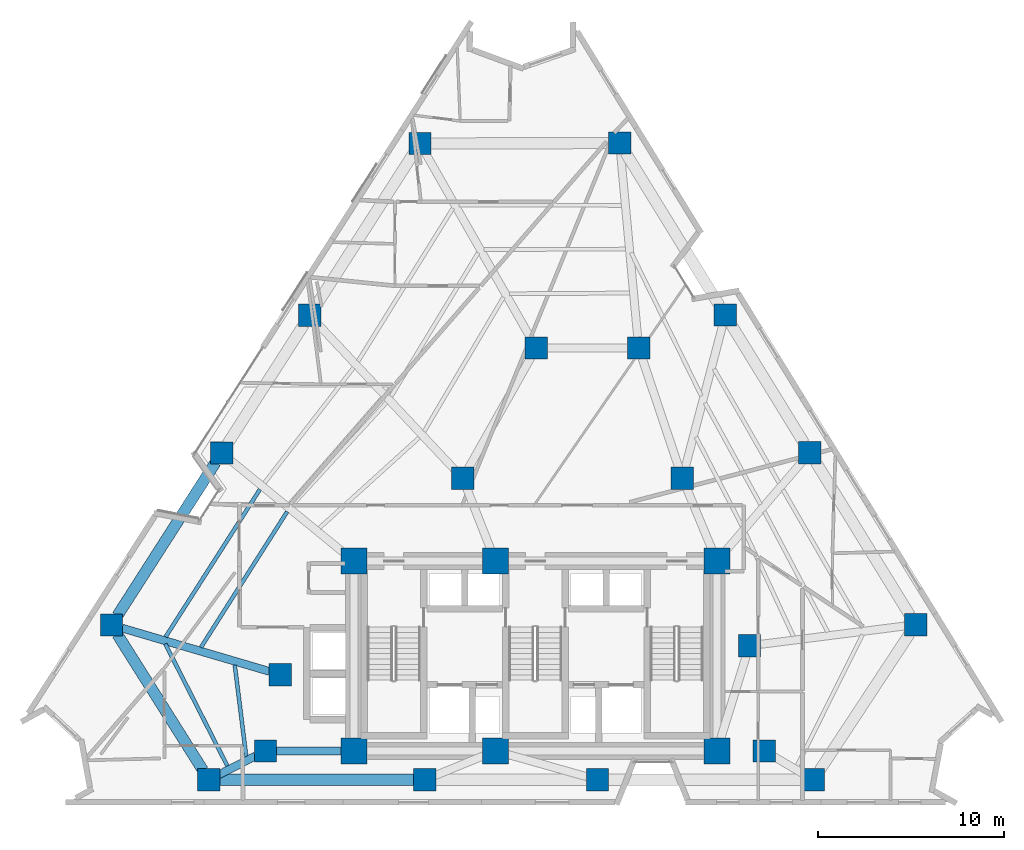
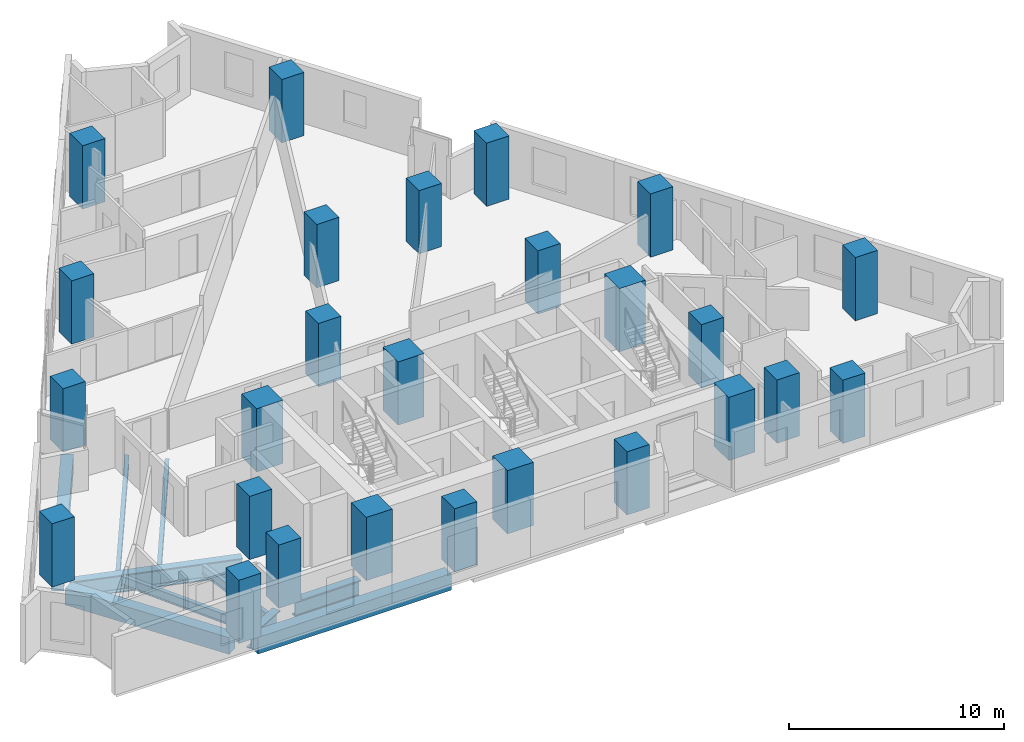
# One storey, part 1 of 13: 26 columns, 10 beams.
"""IFC4 building model written with IfcOpenShell, lengths in metres."""

from ifc_helpers import new_model, si_unit, direction, frame, origin, origin_2d, place, context, subcontext, project, spatial, rectangle, i_section, extrude, material, material_profile, profile_set, type_object, element, save


model = new_model("IFC4")

# Units and contexts
model_context = context("Model", 3, precision=1e-05, world=origin(), true_north=direction((0.0, 1.0)))
body_context = subcontext(model_context, "Body", "Model", "MODEL_VIEW")
ifc_project = project(units=[si_unit("LENGTHUNIT", "METRE"), si_unit("AREAUNIT", "SQUARE_METRE"), si_unit("VOLUMEUNIT", "CUBIC_METRE"), si_unit("PLANEANGLEUNIT", "RADIAN"), si_unit("MASSUNIT", "GRAM", prefix="KILO")], contexts=[model_context])

# Site, building, storey
site_placement = place(None, origin())
site = spatial("IfcSite", under=ifc_project, at=site_placement, CompositionType="ELEMENT")
building_placement = place(site_placement, origin())
building = spatial("IfcBuilding", under=site, at=building_placement, Name="Almagre Mirador Tower", CompositionType="ELEMENT")
storey_placement = place(building_placement, frame((0.0, 0.0, 96.60009765625)))
storey = spatial("IfcBuildingStorey", under=building, at=storey_placement, Name="L24", CompositionType="ELEMENT", Elevation=96.60009765625)

# Columns
ifc_material_1 = material(Name="Concrete C60/75", Category="concrete")
ifc_material_profile_1 = material_profile(ifc_material_1, rectangle(XDim=1.199951171875, YDim=1.199951171875, at=origin_2d()), Name="RC1200X1200")
ifc_profile_set_1 = profile_set([ifc_material_profile_1], Name="Concrete C60/75")
column_type_1 = type_object("IfcColumnType", Name="COL-RC1200", PredefinedType="COLUMN", material=ifc_profile_set_1)
for number, where, z_axis, x_axis, name in (
    (1, (22.800048828125, 4.550048828125, 0.0), (0.0, 0.0, 1.0), (1.0, 0.0, 0.0), "L24 interior transfer column MC1"),
    (2, (49.60009765625, 4.550048828125, 0.0), (0.0, 0.0, 1.0), (1.0, 0.0, 0.0), "L24 interior transfer column MC2"),
    (3, (48.800048828125, 10.199951171875, 0.0), (0.0, 0.0, 1.0), (1.0, 0.0, 0.0), "L24 interior transfer column MC3"),
    (4, (45.199951171875, 19.199951171875, 0.0), (0.0, 0.0, 1.0), (1.0, 0.0, 0.0), "L24 interior transfer column MC5"),
    (5, (42.85009765625, 26.199951171875, 0.0), (0.0, 0.0, 1.0), (1.0, 0.0, 0.0), "L24 interior transfer column MC6"),
    (6, (37.35009765625, 26.199951171875, 0.0), (0.0, 0.0, 1.0), (1.0, 0.0, 0.0), "L24 interior transfer column MC7"),
    (7, (33.39990234375, 19.199951171875, 0.0), (0.0, 0.0, 1.0), (1.0, 0.0, 0.0), "L24 interior transfer column MC8"),
    (8, (23.60009765625, 8.64990234375, 0.0), (0.0, 0.0, 1.0), (1.0, 0.0, 0.0), "L24 interior transfer column MC10"),
    (9, (19.760009765625, 3.0, 0.0), (0.0, 0.0, 1.0), (1.0, 0.0, 0.0), "L24 perimeter column PC01"),
    (10, (31.360107421875, 3.0, 0.0), (0.0, 0.0, 1.0), (1.0, 0.0, 0.0), "L24 perimeter column PC02"),
    (11, (40.639892578125, 3.0, 0.0), (0.0, 0.0, 1.0), (1.0, 0.0, 0.0), "L24 perimeter column PC03"),
    (12, (52.239990234375, 3.0, 0.0), (0.0, 0.0, 1.0), (1.0, 0.0, 0.0), "L24 perimeter column PC04"),
    (13, (57.72998046875, 11.3359375, 0.0), (0.0, 0.0, 1.0), (1.0, 0.0, 0.0), "L24 perimeter column PC05"),
    (14, (52.050048828125, 20.575927734375, 0.0), (0.0, 0.0, 1.0), (1.0, 0.0, 0.0), "L24 perimeter column PC06"),
    (15, (47.506103515625, 27.968017578125, 0.0), (0.0, 0.0, 1.0), (1.0, 0.0, 0.0), "L24 perimeter column PC07"),
    (16, (41.825927734375, 37.2080078125, 0.0), (0.0, 0.0, 1.0), (1.0, 0.0, 0.0), "L24 perimeter column PC08"),
    (17, (31.097900390625, 37.18896484375, 0.0), (0.0, 0.0, 1.0), (1.0, 0.0, 0.0), "L24 perimeter column PC09"),
    (18, (25.177978515625, 27.948974609375, 0.0), (0.0, 0.0, 1.0), (1.0, 0.0, 0.0), "L24 perimeter column PC10"),
    (19, (20.44189453125, 20.556884765625, 0.0), (0.0, 0.0, 1.0), (1.0, 0.0, 0.0), "L24 perimeter column PC11"),
    (20, (14.52197265625, 11.31689453125, 0.0), (0.0, 0.0, 1.0), (1.0, 0.0, 0.0), "L24 perimeter column PC12"),
):
    element("IfcColumn", number, at=place(storey_placement, frame(where, z_axis=z_axis, x_axis=x_axis)), inside=storey, type_object=column_type_1, Name=name, PredefinedType="COLUMN", context=body_context, shape_type="SweptSolid", body=[
        extrude(rectangle(XDim=1.199951171875, YDim=1.199951171875, at=origin_2d()), origin(), (0.0, 0.0, 1.0), 3.599853515625),
    ])
ifc_material_2 = material(Name="Concrete C60/75", Category="concrete")
ifc_material_profile_2 = material_profile(ifc_material_2, rectangle(XDim=1.39990234375, YDim=1.39990234375, at=origin_2d()), Name="RC1400X1400")
ifc_profile_set_2 = profile_set([ifc_material_profile_2], Name="Concrete C60/75")
column_type_2 = type_object("IfcColumnType", Name="COL-RC1400", PredefinedType="COLUMN", material=ifc_profile_set_2)
for number, where, z_axis, x_axis, name in (
    (21, (27.550048828125, 4.550048828125, 0.0), (0.0, 0.0, 1.0), (1.0, 0.0, 0.0), "L24 core spine column CC1"),
    (22, (35.14990234375, 4.550048828125, 0.0), (0.0, 0.0, 1.0), (1.0, 0.0, 0.0), "L24 core spine column CC2"),
    (23, (47.050048828125, 4.550048828125, 0.0), (0.0, 0.0, 1.0), (1.0, 0.0, 0.0), "L24 core spine column CC3"),
    (24, (27.550048828125, 14.75, 0.0), (0.0, 0.0, 1.0), (1.0, 0.0, 0.0), "L24 core spine column CC4"),
    (25, (35.14990234375, 14.75, 0.0), (0.0, 0.0, 1.0), (1.0, 0.0, 0.0), "L24 core spine column CC5"),
    (26, (47.050048828125, 14.75, 0.0), (0.0, 0.0, 1.0), (1.0, 0.0, 0.0), "L24 core spine column CC6"),
):
    element("IfcColumn", number, at=place(storey_placement, frame(where, z_axis=z_axis, x_axis=x_axis)), inside=storey, type_object=column_type_2, Name=name, PredefinedType="COLUMN", context=body_context, shape_type="SweptSolid", body=[
        extrude(rectangle(XDim=1.39990234375, YDim=1.39990234375, at=origin_2d()), origin(), (0.0, 0.0, 1.0), 3.599853515625),
    ])

# Beams
ifc_material_3 = material(Name="Steel ASTM A992 Grade 50", Category="steel")
ifc_material_profile_3 = material_profile(ifc_material_3, i_section(OverallWidth=0.208984375, OverallDepth=0.532958984375, WebThickness=0.01025390625, FlangeThickness=0.015625, FilletRadius=0.01806640625, at=origin_2d()), Name="W21X62")
ifc_profile_set_3 = profile_set([ifc_material_profile_3], Name="Steel ASTM A992 Grade 50")
beam_type_1 = type_object("IfcBeamType", Name="BM-JST-W21X62", PredefinedType="JOIST", material=ifc_profile_set_3)
beam_1_placement = place(storey_placement, frame((22.499755859375, 18.601318359375, -0.5166015625), z_axis=(-0.538691298847, -0.842503225244, 0.0), x_axis=(0.842503225244, -0.538691298847, 0.0)))
element("IfcBeam", 27, at=beam_1_placement, inside=storey, type_object=beam_type_1, Name="L24 secondary floor joist PC11-PC12.1", PredefinedType="JOIST", context=body_context, shape_type="SweptSolid", body=[
    extrude(i_section(OverallWidth=0.208984375, OverallDepth=0.532958984375, WebThickness=0.01025390625, FlangeThickness=0.015625, FilletRadius=0.01806640625, at=origin_2d()), origin(), (0.0, 0.0, 1.0), 9.40673828125),
])
beam_2_placement = place(storey_placement, frame((23.964599609375, 17.40478515625, -0.5166015625), z_axis=(-0.536295360878, -0.844030382096, 0.0), x_axis=(0.844030382096, -0.536295360878, 0.0)))
element("IfcBeam", 28, at=beam_2_placement, inside=storey, type_object=beam_type_1, Name="L24 secondary floor joist PC11-PC12.2", PredefinedType="JOIST", context=body_context, shape_type="SweptSolid", body=[
    extrude(i_section(OverallWidth=0.208984375, OverallDepth=0.532958984375, WebThickness=0.01025390625, FlangeThickness=0.015625, FilletRadius=0.01806640625, at=origin_2d()), origin(), (0.0, 0.0, 1.0), 8.634033203125),
])
beam_3_placement = place(storey_placement, frame((17.4140625, 10.30517578125, -0.5166015625), z_axis=(0.453201108241, -0.891408298979, 0.0), x_axis=(0.891408298979, 0.453201108241, 0.0)))
element("IfcBeam", 29, at=beam_3_placement, inside=storey, type_object=beam_type_1, Name="L24 secondary floor joist PC12-PC01.1", PredefinedType="JOIST", context=body_context, shape_type="SweptSolid", body=[
    extrude(i_section(OverallWidth=0.208984375, OverallDepth=0.532958984375, WebThickness=0.01025390625, FlangeThickness=0.015625, FilletRadius=0.01806640625, at=origin_2d()), origin(), (0.0, 0.0, 1.0), 7.35986328125),
])
beam_4_placement = place(storey_placement, frame((21.148681640625, 9.165771484375, -0.5166015625), z_axis=(0.124537963573, -0.992214843484, 0.0), x_axis=(0.992214843484, 0.124537963573, 0.0)))
element("IfcBeam", 30, at=beam_4_placement, inside=storey, type_object=beam_type_1, Name="L24 secondary floor joist PC12-PC01.3", PredefinedType="JOIST", context=body_context, shape_type="SweptSolid", body=[
    extrude(i_section(OverallWidth=0.208984375, OverallDepth=0.532958984375, WebThickness=0.01025390625, FlangeThickness=0.015625, FilletRadius=0.01806640625, at=origin_2d()), origin(), (0.0, 0.0, 1.0), 4.955810546875),
])
ifc_material_4 = material(Name="Precast concrete C50/60", Category="concrete")
ifc_material_profile_4 = material_profile(ifc_material_4, rectangle(XDim=0.60009765625, YDim=0.949951171875, at=origin_2d()), Name="RC600X950")
ifc_profile_set_4 = profile_set([ifc_material_profile_4], Name="Precast concrete C50/60")
beam_type_2 = type_object("IfcBeamType", Name="BM-SPN-RC600X950", PredefinedType="SPANDREL", material=ifc_profile_set_4)
beam_5_placement = place(storey_placement, frame((20.360107421875, 3.0, -0.72509765625), z_axis=(1.0, 0.0, 0.0), x_axis=(0.0, 1.0, 0.0)))
element("IfcBeam", 31, at=beam_5_placement, inside=storey, type_object=beam_type_2, Name="L24 perimeter spandrel beam PC01-PC02", PredefinedType="SPANDREL", context=body_context, shape_type="SweptSolid", body=[
    extrude(rectangle(XDim=0.60009765625, YDim=0.949951171875, at=origin_2d()), origin(), (0.0, 0.0, 1.0), 10.39990234375),
])
beam_6_placement = place(storey_placement, frame((20.118408203125, 20.0517578125, -0.72509765625), z_axis=(-0.539476801219, -0.842000463745, 0.0), x_axis=(0.842000463745, -0.539476801219, 0.0)))
element("IfcBeam", 32, at=beam_6_placement, inside=storey, type_object=beam_type_2, Name="L24 perimeter spandrel beam PC11-PC12", PredefinedType="SPANDREL", context=body_context, shape_type="SweptSolid", body=[
    extrude(rectangle(XDim=0.60009765625, YDim=0.949951171875, at=origin_2d()), origin(), (0.0, 0.0, 1.0), 9.773681640625),
])
beam_7_placement = place(storey_placement, frame((14.841796875, 10.809326171875, -0.72509765625), z_axis=(0.532907818856, -0.846173301754, 0.0), x_axis=(0.846173301754, 0.532907818856, 0.0)))
element("IfcBeam", 33, at=beam_7_placement, inside=storey, type_object=beam_type_2, Name="L24 perimeter spandrel beam PC12-PC01", PredefinedType="SPANDREL", context=body_context, shape_type="SweptSolid", body=[
    extrude(rectangle(XDim=0.60009765625, YDim=0.949951171875, at=origin_2d()), origin(), (0.0, 0.0, 1.0), 8.62890625),
])
ifc_material_5 = material(Name="Steel ASTM A992 Grade 50", Category="steel")
ifc_material_profile_5 = material_profile(ifc_material_5, i_section(OverallWidth=0.427978515625, OverallDepth=0.97509765625, WebThickness=0.031005859375, FlangeThickness=0.055908203125, FilletRadius=0.028076171875, at=origin_2d()), Name="W36X395")
ifc_profile_set_5 = profile_set([ifc_material_profile_5], Name="Steel ASTM A992 Grade 50")
beam_type_3 = type_object("IfcBeamType", Name="BM-STL-W36X395", PredefinedType="BEAM", material=ifc_profile_set_5)
beam_8_placement = place(storey_placement, frame((20.29443359375, 3.2724609375, -0.737548828125), z_axis=(0.890845728366, 0.454305941247, 0.0), x_axis=(-0.454305941247, 0.890845728366, 0.0)))
element("IfcBeam", 34, at=beam_8_placement, inside=storey, type_object=beam_type_3, Name="L24 radial floor girder PC01-MC1", PredefinedType="BEAM", context=body_context, shape_type="SweptSolid", body=[
    extrude(i_section(OverallWidth=0.427978515625, OverallDepth=0.97509765625, WebThickness=0.031005859375, FlangeThickness=0.055908203125, FilletRadius=0.028076171875, at=origin_2d()), origin(), (0.0, 0.0, 1.0), 2.21240234375),
])
beam_9_placement = place(storey_placement, frame((15.09765625, 11.14794921875, -0.737548828125), z_axis=(0.959448747286, -0.281883134174, 0.0), x_axis=(0.281883134174, 0.959448747286, 0.0)))
element("IfcBeam", 35, at=beam_9_placement, inside=storey, type_object=beam_type_3, Name="L24 radial floor girder PC12-MC10", PredefinedType="BEAM", context=body_context, shape_type="SweptSolid", body=[
    extrude(i_section(OverallWidth=0.427978515625, OverallDepth=0.97509765625, WebThickness=0.031005859375, FlangeThickness=0.055908203125, FilletRadius=0.028076171875, at=origin_2d()), origin(), (0.0, 0.0, 1.0), 8.26171875),
])
ifc_material_6 = material(Name="Steel ASTM A992 Grade 50", Category="steel")
ifc_material_profile_6 = material_profile(ifc_material_6, i_section(OverallWidth=0.43701171875, OverallDepth=1.010986328125, WebThickness=0.041015625, FlangeThickness=0.073974609375, FilletRadius=0.028076171875, at=origin_2d()), Name="W36X529")
ifc_profile_set_6 = profile_set([ifc_material_profile_6], Name="Steel ASTM A992 Grade 50")
beam_type_4 = type_object("IfcBeamType", Name="BM-STL-W36X529", PredefinedType="BEAM", material=ifc_profile_set_6)
beam_10_placement = place(storey_placement, frame((23.39990234375, 4.550048828125, -0.755615234375), z_axis=(1.0, 0.0, 0.0), x_axis=(0.0, 1.0, 0.0)))
element("IfcBeam", 36, at=beam_10_placement, inside=storey, type_object=beam_type_4, Name="L24 core tie girder MC1-CC1", PredefinedType="BEAM", context=body_context, shape_type="SweptSolid", body=[
    extrude(i_section(OverallWidth=0.43701171875, OverallDepth=1.010986328125, WebThickness=0.041015625, FlangeThickness=0.073974609375, FilletRadius=0.028076171875, at=origin_2d()), origin(), (0.0, 0.0, 1.0), 3.4501953125),
])

save(model, "model.ifc")
